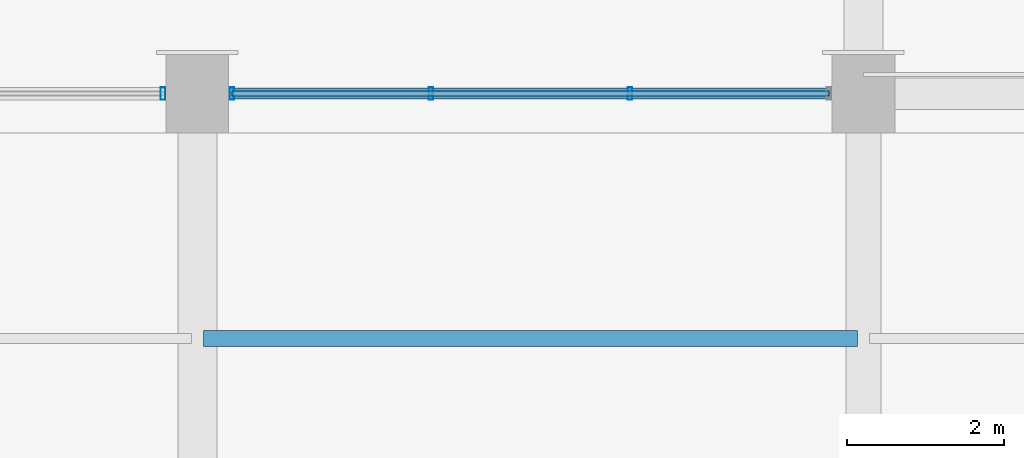
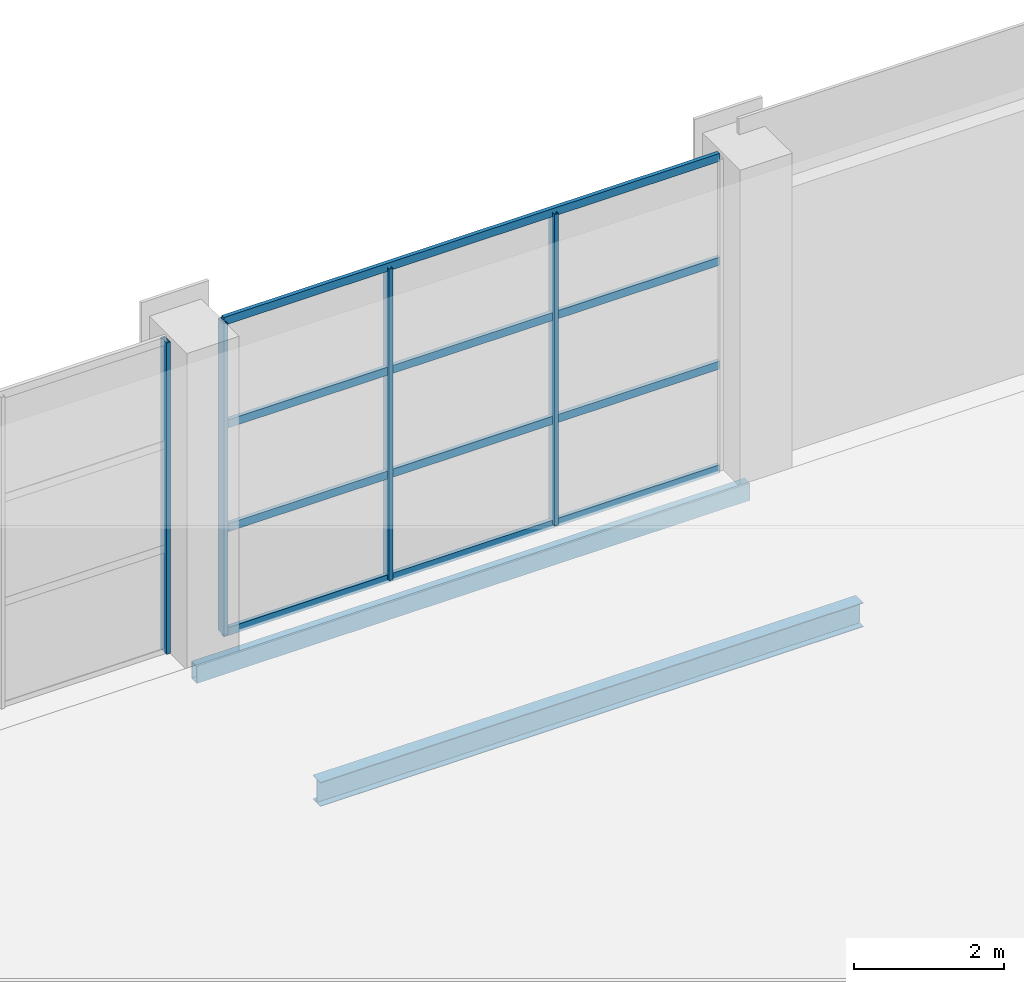
# One storey, part 25 of 90: 8 members, 2 beams, 2 elements without a shape of their own.
"""IFC4 building model written with IfcOpenShell, lengths in metres."""

from ifc_helpers import new_model, si_unit, direction, frame, origin, origin_2d, place, context, subcontext, project, spatial, hollow_rectangle, i_section, extrude, material, material_profile, profile_set, type_object, element, aggregate, save


model = new_model("IFC4")

# Units and contexts
model_context = context("Model", 3, precision=1e-05, world=origin(), true_north=direction((0.0, 1.0)))
body_context = subcontext(model_context, "Body", "Model", "MODEL_VIEW")
ifc_project = project(units=[si_unit("LENGTHUNIT", "METRE"), si_unit("AREAUNIT", "SQUARE_METRE"), si_unit("VOLUMEUNIT", "CUBIC_METRE"), si_unit("PLANEANGLEUNIT", "RADIAN"), si_unit("MASSUNIT", "GRAM", prefix="KILO")], contexts=[model_context])

# Site, building, storey
site_placement = place(None, origin())
site = spatial("IfcSite", under=ifc_project, at=site_placement, CompositionType="ELEMENT")
building_placement = place(site_placement, origin())
building = spatial("IfcBuilding", under=site, at=building_placement, Name="Solvikara Media Centre", CompositionType="ELEMENT")
storey_placement = place(building_placement, origin())
storey = spatial("IfcBuildingStorey", under=building, at=storey_placement, Name="L00", CompositionType="ELEMENT", Elevation=0.0)

# Beams
ifc_material_1 = material(Name="Steel S355JR", Category="steel")
ifc_material_profile_1 = material_profile(ifc_material_1, i_section(OverallWidth=0.198974609375, OverallDepth=0.39599609375, WebThickness=0.007080078125, FlangeThickness=0.010986328125, at=origin_2d()), Name="WF 396x199x7x11")
ifc_profile_set_1 = profile_set([ifc_material_profile_1], Name="Steel S355JR")
beam_type_1 = type_object("IfcBeamType", Name="BM-37", PredefinedType="JOIST", material=ifc_profile_set_1)
beam_1_placement = place(storey_placement, frame((8.577880859375, 110.875, -0.5400390625), z_axis=(1.0, 0.0, 0.0), x_axis=(0.0, 1.0, 0.0)))
element("IfcBeam", 1, at=beam_1_placement, inside=storey, type_object=beam_type_1, Name="J-L00-0285", PredefinedType="JOIST", context=body_context, shape_type="SweptSolid", body=[
    extrude(i_section(OverallWidth=0.198974609375, OverallDepth=0.39599609375, WebThickness=0.007080078125, FlangeThickness=0.010986328125, at=origin_2d()), origin(), (0.0, 0.0, 1.0), 8.34423828125),
])
ifc_material_profile_2 = material_profile(ifc_material_1, hollow_rectangle(XDim=0.139892578125, YDim=0.280029296875, WallThickness=0.008056640625, at=origin_2d()), Name="RHS 280x140x8")
ifc_profile_set_2 = profile_set([ifc_material_profile_2], Name="Steel S355JR")
beam_type_2 = type_object("IfcBeamType", Name="BM-46", PredefinedType="SPANDREL", material=ifc_profile_set_2)
beam_2_placement = place(storey_placement, frame((8.5, 114.0, -0.48193359375), z_axis=(1.0, 0.0, 0.0), x_axis=(0.0, 1.0, 0.0)))
element("IfcBeam", 2, at=beam_2_placement, inside=storey, type_object=beam_type_2, Name="B-L00-X0104", PredefinedType="SPANDREL", context=body_context, shape_type="SweptSolid", body=[
    extrude(hollow_rectangle(XDim=0.139892578125, YDim=0.280029296875, WallThickness=0.008056640625, at=origin_2d()), origin(), (0.0, 0.0, 1.0), 8.5),
])

# Curtain wall, member
ifc_material_2 = material(Name="Anodised aluminium EN AW-6063", Category="aluminium")
curtain_wall_type = type_object("IfcCurtainWallType", Name="CW-06", PredefinedType="NOTDEFINED", material=ifc_material_2)
curtain_wall_1_placement = place(storey_placement, origin())
curtain_wall_1 = element("IfcCurtainWall", 3, at=curtain_wall_1_placement, inside=storey, type_object=curtain_wall_type, Name="CW-L00-V3N-1-S1", PredefinedType="NOTDEFINED")
ifc_material_profile_3 = material_profile(ifc_material_2, hollow_rectangle(XDim=0.06005859375, YDim=0.159912109375, WallThickness=0.00341796875, at=origin_2d()), Name="ALU-M 60x160x3.5")
ifc_profile_set_3 = profile_set([ifc_material_profile_3], Name="Anodised aluminium EN AW-6063")
member_type_1 = type_object("IfcMemberType", Name="MF-04", PredefinedType="MULLION", material=ifc_profile_set_3)
member_1_placement = place(storey_placement, frame((8.06005859375, 114.0, 0.02001953125), z_axis=(0.0, 0.0, 1.0), x_axis=(1.0, 0.0, 0.0)))
member_1 = element("IfcMember", 4, at=member_1_placement, type_object=member_type_1, Name="CW-L00-V3N-1-S1-M03", PredefinedType="MULLION", context=body_context, shape_type="SweptSolid", body=[
    extrude(hollow_rectangle(XDim=0.06005859375, YDim=0.159912109375, WallThickness=0.00341796875, at=origin_2d()), origin(), (0.0, 0.0, 1.0), 5.06005859375),
])
aggregate(curtain_wall_1, [member_1])

# Curtain wall, members
curtain_wall_2_placement = place(storey_placement, origin())
curtain_wall_2 = element("IfcCurtainWall", 5, at=curtain_wall_2_placement, inside=storey, type_object=curtain_wall_type, Name="CW-L00-V3N-1-S2", PredefinedType="NOTDEFINED")
member_2_placement = place(storey_placement, frame((8.93994140625, 114.0, 0.02001953125), z_axis=(0.0, 0.0, 1.0), x_axis=(1.0, 0.0, 0.0)))
member_2 = element("IfcMember", 6, at=member_2_placement, type_object=member_type_1, Name="CW-L00-V3N-1-S2-M00", PredefinedType="MULLION", context=body_context, shape_type="SweptSolid", body=[
    extrude(hollow_rectangle(XDim=0.06005859375, YDim=0.159912109375, WallThickness=0.00341796875, at=origin_2d()), origin(), (0.0, 0.0, 1.0), 5.06005859375),
])
member_3_placement = place(storey_placement, frame((11.47998046875, 114.0, 0.02001953125), z_axis=(0.0, 0.0, 1.0), x_axis=(1.0, 0.0, 0.0)))
member_3 = element("IfcMember", 7, at=member_3_placement, type_object=member_type_1, Name="CW-L00-V3N-1-S2-M01", PredefinedType="MULLION", context=body_context, shape_type="SweptSolid", body=[
    extrude(hollow_rectangle(XDim=0.06005859375, YDim=0.159912109375, WallThickness=0.00341796875, at=origin_2d()), origin(), (0.0, 0.0, 1.0), 5.06005859375),
])
member_4_placement = place(storey_placement, frame((14.02001953125, 114.0, 0.02001953125), z_axis=(0.0, 0.0, 1.0), x_axis=(1.0, 0.0, 0.0)))
member_4 = element("IfcMember", 8, at=member_4_placement, type_object=member_type_1, Name="CW-L00-V3N-1-S2-M02", PredefinedType="MULLION", context=body_context, shape_type="SweptSolid", body=[
    extrude(hollow_rectangle(XDim=0.06005859375, YDim=0.159912109375, WallThickness=0.00341796875, at=origin_2d()), origin(), (0.0, 0.0, 1.0), 5.06005859375),
])
ifc_material_profile_4 = material_profile(ifc_material_2, hollow_rectangle(XDim=0.06005859375, YDim=0.1298828125, WallThickness=0.0029296875, at=origin_2d()), Name="ALU-T 60x130x3")
ifc_profile_set_4 = profile_set([ifc_material_profile_4], Name="Anodised aluminium EN AW-6063")
member_type_2 = type_object("IfcMemberType", Name="MF-10", PredefinedType="USERDEFINED", material=ifc_profile_set_4)
member_5_placement = place(storey_placement, frame((8.93994140625, 114.0, 0.02001953125), z_axis=(1.0, 0.0, 0.0), x_axis=(0.0, 1.0, 0.0)))
member_5 = element("IfcMember", 9, at=member_5_placement, type_object=member_type_2, Name="CW-L00-V3N-1-S2-T00", ObjectType="TRANSOM", PredefinedType="USERDEFINED", context=body_context, shape_type="SweptSolid", body=[
    extrude(hollow_rectangle(XDim=0.06005859375, YDim=0.1298828125, WallThickness=0.0029296875, at=origin_2d()), origin(), (0.0, 0.0, 1.0), 7.6201171875),
])
member_6_placement = place(storey_placement, frame((8.93994140625, 114.0, 1.70703125), z_axis=(1.0, 0.0, 0.0), x_axis=(0.0, 1.0, 0.0)))
member_6 = element("IfcMember", 10, at=member_6_placement, type_object=member_type_2, Name="CW-L00-V3N-1-S2-T01", ObjectType="TRANSOM", PredefinedType="USERDEFINED", context=body_context, shape_type="SweptSolid", body=[
    extrude(hollow_rectangle(XDim=0.06005859375, YDim=0.1298828125, WallThickness=0.0029296875, at=origin_2d()), origin(), (0.0, 0.0, 1.0), 7.6201171875),
])
member_7_placement = place(storey_placement, frame((8.93994140625, 114.0, 3.39306640625), z_axis=(1.0, 0.0, 0.0), x_axis=(0.0, 1.0, 0.0)))
member_7 = element("IfcMember", 11, at=member_7_placement, type_object=member_type_2, Name="CW-L00-V3N-1-S2-T02", ObjectType="TRANSOM", PredefinedType="USERDEFINED", context=body_context, shape_type="SweptSolid", body=[
    extrude(hollow_rectangle(XDim=0.06005859375, YDim=0.1298828125, WallThickness=0.0029296875, at=origin_2d()), origin(), (0.0, 0.0, 1.0), 7.6201171875),
])
member_8_placement = place(storey_placement, frame((8.93994140625, 114.0, 5.080078125), z_axis=(1.0, 0.0, 0.0), x_axis=(0.0, 1.0, 0.0)))
member_8 = element("IfcMember", 12, at=member_8_placement, type_object=member_type_2, Name="CW-L00-V3N-1-S2-T03", ObjectType="TRANSOM", PredefinedType="USERDEFINED", context=body_context, shape_type="SweptSolid", body=[
    extrude(hollow_rectangle(XDim=0.06005859375, YDim=0.1298828125, WallThickness=0.0029296875, at=origin_2d()), origin(), (0.0, 0.0, 1.0), 7.6201171875),
])
aggregate(curtain_wall_2, [member_2, member_3, member_4, member_5, member_6, member_7, member_8])

save(model, "model.ifc")
